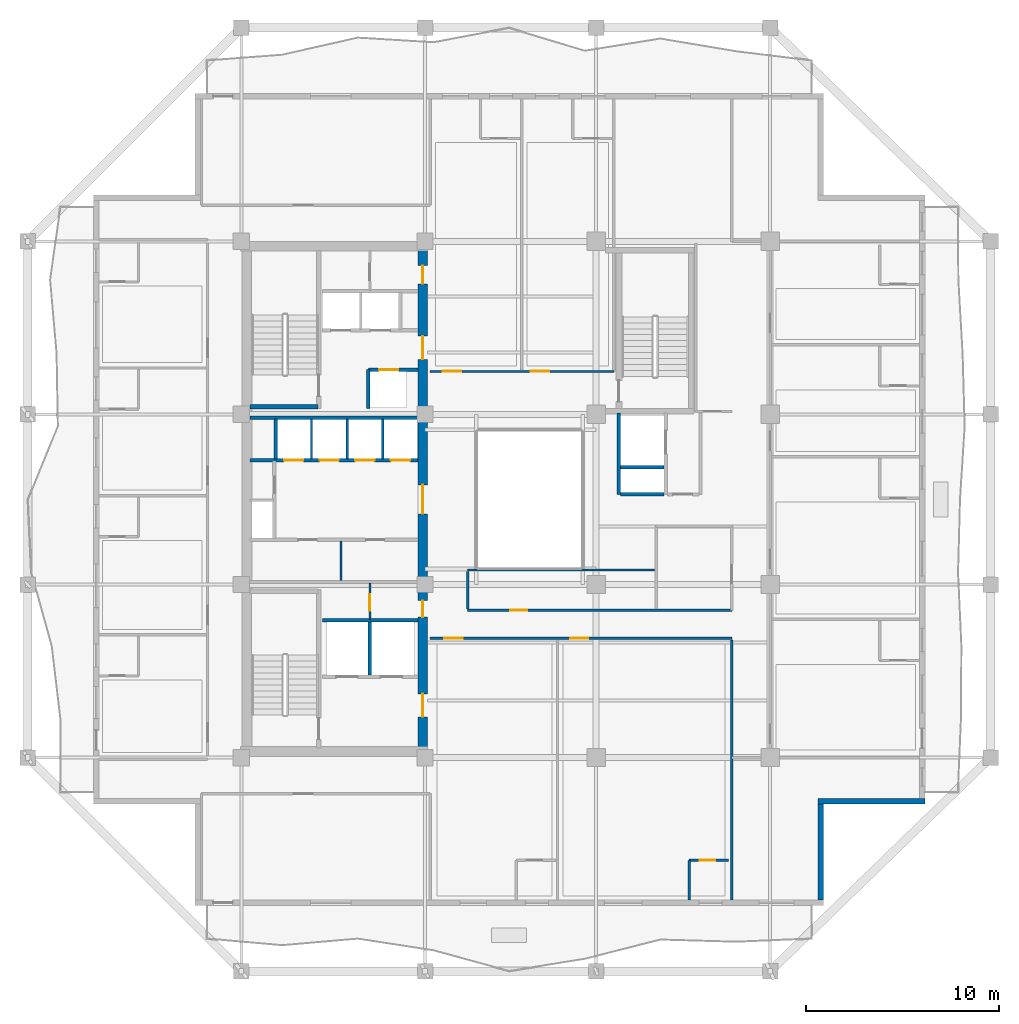
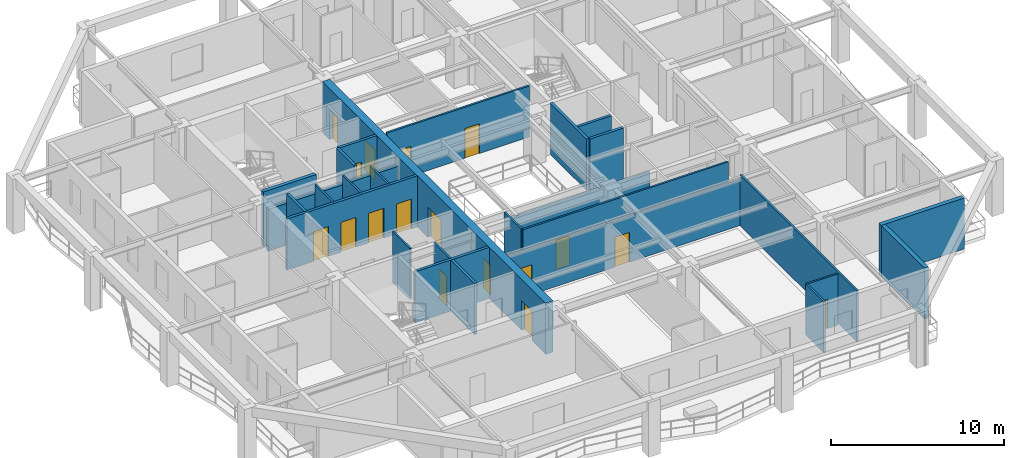
# One storey, part 4 of 13: 27 walls, 17 doors, 17 openings.
"""IFC4 building model written with IfcOpenShell, lengths in metres."""

from ifc_helpers import new_model, si_unit, direction, frame, frame_2d, origin, place, context, subcontext, project, spatial, rectangle, extrude, material, layer, layer_set, type_object, element, fill, save


model = new_model("IFC4")

# Units and contexts
model_context = context("Model", 3, precision=1e-05, world=origin(), true_north=direction((0.0, 1.0)))
body_context = subcontext(model_context, "Body", "Model", "MODEL_VIEW")
ifc_project = project(units=[si_unit("LENGTHUNIT", "METRE"), si_unit("AREAUNIT", "SQUARE_METRE"), si_unit("VOLUMEUNIT", "CUBIC_METRE"), si_unit("PLANEANGLEUNIT", "RADIAN"), si_unit("MASSUNIT", "GRAM", prefix="KILO")], contexts=[model_context])

# Site, building, storey
site_placement = place(None, origin())
site = spatial("IfcSite", under=ifc_project, at=site_placement, CompositionType="ELEMENT")
building_placement = place(site_placement, origin())
building = spatial("IfcBuilding", under=site, at=building_placement, Name="Kundavana Baori Tower", CompositionType="ELEMENT")
storey_placement = place(building_placement, frame((0.0, 0.0, 165.60009765625)))
storey = spatial("IfcBuildingStorey", under=building, at=storey_placement, Name="L40", CompositionType="ELEMENT", Elevation=165.60009765625)

# Wall
ifc_material_1 = material(Name="Concrete C50/60", Category="concrete")
ifc_layer_1 = layer(ifc_material_1, 0.39990234375, Name="WL-CORE-400")
ifc_layer_set_1 = layer_set([ifc_layer_1], Name="Concrete C50/60")
wall_type_1 = type_object("IfcWallType", Name="WL-CORE-400", PredefinedType="SHEAR", material=ifc_layer_set_1)
wall_1_placement = place(storey_placement, frame((15.89990234375, 33.389892578125, 0.0), z_axis=(0.0, 0.0, 1.0), x_axis=(1.0, 0.0, 0.0)))
element("IfcWall", 1, at=wall_1_placement, inside=storey, type_object=wall_type_1, Name="WL-L40-ST2-S", PredefinedType="SHEAR", context=body_context, shape_type="SweptSolid", body=[
    extrude(rectangle(XDim=3.52001953125, YDim=0.239990234375, at=frame_2d((1.760009765625, 0.0))), origin(), (0.0, 0.0, 1.0), 3.849853515625),
])

# Wall, openings, doors
ifc_material_2 = material(Name="Concrete C50/60", Category="concrete")
ifc_layer_2 = layer(ifc_material_2, 0.5, Name="WL-CORE-500")
ifc_layer_set_2 = layer_set([ifc_layer_2], Name="Concrete C50/60")
wall_type_2 = type_object("IfcWallType", Name="WL-CORE-500", PredefinedType="SHEAR", material=ifc_layer_set_2)
wall_2_placement = place(storey_placement, frame((24.830078125, 15.739990234375, 0.0), z_axis=(0.0, 0.0, 1.0), x_axis=(0.0, 1.0, 0.0)))
wall_2 = element("IfcWall", 2, at=wall_2_placement, inside=storey, type_object=wall_type_2, Name="L40 Offset Core East Shear Wall", PredefinedType="SHEAR", context=body_context, shape_type="SweptSolid", body=[
    extrude(rectangle(XDim=25.760009765625, YDim=0.5, at=frame_2d((12.8798828125, 0.0))), origin(), (0.0, 0.0, 1.0), 3.599853515625),
])
opening_1_placement = place(wall_2_placement, frame((1.610107421875, 0.0, 0.0)))
opening_1 = element("IfcOpeningElement", 3, at=opening_1_placement, cuts=wall_2, Name="Opening FD-120", PredefinedType="OPENING", context=body_context, shape_type="SweptSolid", body=[
    extrude(rectangle(XDim=1.199951171875, YDim=2.10009765625, at=frame_2d((0.60009765625, 1.050048828125))), frame((0.0, 0.260009765625, 0.0), z_axis=(0.0, -1.0, 0.0), x_axis=(1.0, 0.0, 0.0)), (0.0, 0.0, 1.0), 0.52001953125),
])
opening_2_placement = place(wall_2_placement, frame((6.780029296875, 0.0, 0.0)))
opening_2 = element("IfcOpeningElement", 4, at=opening_2_placement, cuts=wall_2, Name="Opening FD-085", PredefinedType="OPENING", context=body_context, shape_type="SweptSolid", body=[
    extrude(rectangle(XDim=0.85009765625, YDim=2.06005859375, at=frame_2d((0.425048828125, 1.030029296875))), frame((0.0, 0.260009765625, 0.0), z_axis=(0.0, -1.0, 0.0), x_axis=(1.0, 0.0, 0.0)), (0.0, 0.0, 1.0), 0.52001953125),
])
opening_3_placement = place(wall_2_placement, frame((12.110107421875, 0.0, 0.0)))
opening_3 = element("IfcOpeningElement", 5, at=opening_3_placement, cuts=wall_2, Name="Opening FD-150", PredefinedType="OPENING", context=body_context, shape_type="SweptSolid", body=[
    extrude(rectangle(XDim=1.5, YDim=2.1201171875, at=frame_2d((0.75, 1.06005859375))), frame((0.0, 0.260009765625, 0.0), z_axis=(0.0, -1.0, 0.0), x_axis=(1.0, 0.0, 0.0)), (0.0, 0.0, 1.0), 0.52001953125),
])
opening_4_placement = place(wall_2_placement, frame((20.110107421875, 0.0, 0.0)))
opening_4 = element("IfcOpeningElement", 6, at=opening_4_placement, cuts=wall_2, Name="Opening FD-122", PredefinedType="OPENING", context=body_context, shape_type="SweptSolid", body=[
    extrude(rectangle(XDim=1.199951171875, YDim=2.1201171875, at=frame_2d((0.60009765625, 1.06005859375))), frame((0.0, 0.260009765625, 0.0), z_axis=(0.0, -1.0, 0.0), x_axis=(1.0, 0.0, 0.0)), (0.0, 0.0, 1.0), 0.52001953125),
])
opening_5_placement = place(wall_2_placement, frame((24.010009765625, 0.0, 0.0)))
opening_5 = element("IfcOpeningElement", 7, at=opening_5_placement, cuts=wall_2, Name="Opening FD-095", PredefinedType="OPENING", context=body_context, shape_type="SweptSolid", body=[
    extrude(rectangle(XDim=0.949951171875, YDim=2.10009765625, at=frame_2d((0.47509765625, 1.050048828125))), frame((0.0, 0.260009765625, 0.0), z_axis=(0.0, -1.0, 0.0), x_axis=(1.0, 0.0, 0.0)), (0.0, 0.0, 1.0), 0.52001953125),
])
ifc_material_3 = material(Name="Galvanised Steel Fire-Rated Door Leaf", Category="steel")
door_type_1 = type_object("IfcDoorType", Name="DR-FD120-1200", OperationType="NOTDEFINED", PredefinedType="DOOR", material=ifc_material_3)
door_1_placement = place(opening_1_placement, frame((1.199951171875, 0.0, 0.0), z_axis=(0.0, 0.0, 1.0), x_axis=(-1.0, 0.0, 0.0)))
door_1 = element("IfcDoor", 8, at=door_1_placement, inside=storey, type_object=door_type_1, Name="DR-L40-FFLOB-E", OperationType="SINGLE_SWING_RIGHT", OverallHeight=2.10009765625, OverallWidth=1.199951171875, PredefinedType="DOOR", context=body_context, shape_type="SweptSolid", body=[
    extrude(rectangle(XDim=1.199951171875, YDim=2.10009765625, at=frame_2d((0.60009765625, 1.050048828125))), frame((0.0, 0.02490234375, 0.0), z_axis=(0.0, -1.0, 0.0), x_axis=(1.0, 0.0, 0.0)), (0.0, 0.0, 1.0), 0.050048828125),
])
fill(opening_1, door_1)
ifc_material_4 = material(Name="Galvanised Steel Fire-Rated Door Leaf", Category="steel")
door_type_2 = type_object("IfcDoorType", Name="DR-FD60-1200", OperationType="NOTDEFINED", PredefinedType="DOOR", material=ifc_material_4)
door_2_placement = place(opening_4_placement, frame((1.199951171875, 0.0, 0.0), z_axis=(0.0, 0.0, 1.0), x_axis=(-1.0, 0.0, 0.0)))
door_2 = element("IfcDoor", 9, at=door_2_placement, inside=storey, type_object=door_type_2, Name="DR-L40-HRLOB-E", OperationType="SINGLE_SWING_RIGHT", OverallHeight=2.1201171875, OverallWidth=1.199951171875, PredefinedType="DOOR", context=body_context, shape_type="SweptSolid", body=[
    extrude(rectangle(XDim=1.199951171875, YDim=2.1201171875, at=frame_2d((0.60009765625, 1.06005859375))), frame((0.0, 0.02490234375, 0.0), z_axis=(0.0, -1.0, 0.0), x_axis=(1.0, 0.0, 0.0)), (0.0, 0.0, 1.0), 0.050048828125),
])
fill(opening_4, door_2)
ifc_material_5 = material(Name="Galvanised Steel Fire-Rated Door Leaf", Category="steel")
door_type_3 = type_object("IfcDoorType", Name="DR-FD60-1500", OperationType="NOTDEFINED", PredefinedType="DOOR", material=ifc_material_5)
door_3_placement = place(opening_3_placement, frame((1.5, 0.0, 0.0), z_axis=(0.0, 0.0, 1.0), x_axis=(-1.0, 0.0, 0.0)))
door_3 = element("IfcDoor", 10, at=door_3_placement, inside=storey, type_object=door_type_3, Name="DR-L40-LIFTHALL-E", OperationType="SINGLE_SWING_LEFT", OverallHeight=2.1201171875, OverallWidth=1.5, PredefinedType="DOOR", context=body_context, shape_type="SweptSolid", body=[
    extrude(rectangle(XDim=1.5, YDim=2.1201171875, at=frame_2d((0.75, 1.06005859375))), frame((0.0, 0.02490234375, 0.0), z_axis=(0.0, -1.0, 0.0), x_axis=(1.0, 0.0, 0.0)), (0.0, 0.0, 1.0), 0.050048828125),
])
fill(opening_3, door_3)
ifc_material_6 = material(Name="Galvanised Steel Fire-Rated Door Leaf", Category="steel")
door_type_4 = type_object("IfcDoorType", Name="DR-FD60-850", OperationType="NOTDEFINED", PredefinedType="DOOR", material=ifc_material_6)
door_4_placement = place(opening_2_placement, frame((0.85009765625, 0.0, 0.0), z_axis=(0.0, 0.0, 1.0), x_axis=(-1.0, 0.0, 0.0)))
door_4 = element("IfcDoor", 11, at=door_4_placement, inside=storey, type_object=door_type_4, Name="DR-L40-CSMK2", OperationType="SINGLE_SWING_RIGHT", OverallHeight=2.06005859375, OverallWidth=0.85009765625, PredefinedType="DOOR", context=body_context, shape_type="SweptSolid", body=[
    extrude(rectangle(XDim=0.85009765625, YDim=2.06005859375, at=frame_2d((0.425048828125, 1.030029296875))), frame((0.0, 0.02490234375, 0.0), z_axis=(0.0, -1.0, 0.0), x_axis=(1.0, 0.0, 0.0)), (0.0, 0.0, 1.0), 0.050048828125),
])
fill(opening_2, door_4)
ifc_material_7 = material(Name="Engineered Teak Fire-Rated Timber Door Leaf", Category="wood")
door_type_5 = type_object("IfcDoorType", Name="DR-FD60-950", OperationType="NOTDEFINED", PredefinedType="DOOR", material=ifc_material_7)
door_5_placement = place(opening_5_placement, frame((0.949951171875, 0.0, 0.0), z_axis=(0.0, 0.0, 1.0), x_axis=(-1.0, 0.0, 0.0)))
door_5 = element("IfcDoor", 12, at=door_5_placement, inside=storey, type_object=door_type_5, Name="DR-L40-CSRV2", OperationType="SINGLE_SWING_RIGHT", OverallHeight=2.10009765625, OverallWidth=0.949951171875, PredefinedType="DOOR", context=body_context, shape_type="SweptSolid", body=[
    extrude(rectangle(XDim=0.949951171875, YDim=2.10009765625, at=frame_2d((0.47509765625, 1.050048828125))), frame((0.0, 0.02490234375, 0.0), z_axis=(0.0, -1.0, 0.0), x_axis=(1.0, 0.0, 0.0)), (0.0, 0.0, 1.0), 0.050048828125),
])
fill(opening_5, door_5)

# Walls
ifc_material_8 = material(Name="Red-Buff Dholpur Sandstone Cladding on Concrete C40/50", Category="masonry")
ifc_layer_3 = layer(ifc_material_8, 0.280029296875, Name="WL-EXT-SAND-280")
ifc_layer_set_3 = layer_set([ifc_layer_3], Name="Red-Buff Dholpur Sandstone Cladding on Concrete C40/50")
wall_type_3 = type_object("IfcWallType", Name="WL-EXT-SAND-280", PredefinedType="STANDARD", material=ifc_layer_set_3)
wall_3_placement = place(storey_placement, frame((45.409912109375, 7.8798828125, 0.0), z_axis=(0.0, 0.0, 1.0), x_axis=(0.0, 1.0, 0.0)))
element("IfcWall", 13, at=wall_3_placement, inside=storey, type_object=wall_type_3, Name="L40 Exterior Insulated Facade Wall 02", PredefinedType="STANDARD", context=body_context, shape_type="SweptSolid", body=[
    extrude(rectangle(XDim=4.97021484375, YDim=0.280029296875, at=frame_2d((2.485107421875, 0.0))), origin(), (0.0, 0.0, 1.0), 3.599853515625),
])
wall_4_placement = place(storey_placement, frame((45.27001953125, 12.989990234375, 0.0), z_axis=(0.0, 0.0, 1.0), x_axis=(1.0, 0.0, 0.0)))
element("IfcWall", 14, at=wall_4_placement, inside=storey, type_object=wall_type_3, Name="L40 Exterior Insulated Facade Wall 03", PredefinedType="STANDARD", context=body_context, shape_type="SweptSolid", body=[
    extrude(rectangle(XDim=5.530029296875, YDim=0.280029296875, at=frame_2d((2.76513671875, 0.0))), origin(), (0.0, 0.0, 1.0), 3.599853515625),
])

# Wall, opening, door
ifc_material_9 = material(Name="Acoustic Gypsum Plasterboard on Galvanised Steel Studs", Category="steel")
ifc_layer_4 = layer(ifc_material_9, 0.1201171875, Name="WL-PART-120")
ifc_layer_set_4 = layer_set([ifc_layer_4], Name="Acoustic Gypsum Plasterboard on Galvanised Steel Studs")
wall_type_4 = type_object("IfcWallType", Name="WL-PART-120", PredefinedType="PARTITIONING", material=ifc_layer_set_4)
wall_5_placement = place(storey_placement, frame((22.10009765625, 22.39990234375, 0.0), z_axis=(0.0, 0.0, 1.0), x_axis=(0.0, 1.0, 0.0)))
wall_5 = element("IfcWall", 15, at=wall_5_placement, inside=storey, type_object=wall_type_4, Name="WL-L40-CSMK-D1", PredefinedType="PARTITIONING", context=body_context, shape_type="SweptSolid", body=[
    extrude(rectangle(XDim=1.880126953125, YDim=0.1201171875, at=frame_2d((0.93994140625, 0.0))), origin(), (0.0, 0.0, 1.0), 3.599853515625),
])
opening_6_placement = place(wall_5_placement, frame((0.449951171875, 0.0, 0.0)))
opening_6 = element("IfcOpeningElement", 16, at=opening_6_placement, cuts=wall_5, Name="Opening FD-085", PredefinedType="OPENING", context=body_context, shape_type="SweptSolid", body=[
    extrude(rectangle(XDim=0.85009765625, YDim=2.06005859375, at=frame_2d((0.425048828125, 1.030029296875))), frame((0.0, 0.070068359375, 0.0), z_axis=(0.0, -1.0, 0.0), x_axis=(1.0, 0.0, 0.0)), (0.0, 0.0, 1.0), 0.14013671875),
])
door_6_placement = place(opening_6_placement, origin())
door_6 = element("IfcDoor", 17, at=door_6_placement, inside=storey, type_object=door_type_4, Name="DR-L40-CSMK1", OperationType="SINGLE_SWING_LEFT", OverallHeight=2.06005859375, OverallWidth=0.85009765625, PredefinedType="DOOR", context=body_context, shape_type="SweptSolid", body=[
    extrude(rectangle(XDim=0.85009765625, YDim=2.06005859375, at=frame_2d((0.425048828125, 1.030029296875))), frame((0.0, 0.02490234375, 0.0), z_axis=(0.0, -1.0, 0.0), x_axis=(1.0, 0.0, 0.0)), (0.0, 0.0, 1.0), 0.050048828125),
])
fill(opening_6, door_6)

# Walls
wall_6_placement = place(storey_placement, frame((20.60009765625, 24.419921875, 0.0), z_axis=(0.0, 0.0, 1.0), x_axis=(0.0, 1.0, 0.0)))
element("IfcWall", 18, at=wall_6_placement, inside=storey, type_object=wall_type_4, Name="WL-L40-FRLOW-DIV", PredefinedType="PARTITIONING", context=body_context, shape_type="SweptSolid", body=[
    extrude(rectangle(XDim=2.02001953125, YDim=0.1201171875, at=frame_2d((1.010009765625, 0.0))), origin(), (0.0, 0.0, 1.0), 3.599853515625),
])
for number, where, z_axis, x_axis, name in (
    (19, (19.080078125, 30.699951171875, 0.0), (0.0, 0.0, 1.0), (0.0, 1.0, 0.0), "WL-L40-LPMID-D1"),
    (20, (20.919921875, 30.699951171875, 0.0), (0.0, 0.0, 1.0), (0.0, 1.0, 0.0), "WL-L40-LPMID-D2"),
    (21, (22.760009765625, 30.699951171875, 0.0), (0.0, 0.0, 1.0), (0.0, 1.0, 0.0), "WL-L40-LPMID-D3"),
):
    element("IfcWall", number, at=place(storey_placement, frame(where, z_axis=z_axis, x_axis=x_axis)), inside=storey, type_object=wall_type_4, Name=name, PredefinedType="PARTITIONING", context=body_context, shape_type="SweptSolid", body=[
        extrude(rectangle(XDim=2.050048828125, YDim=0.1201171875, at=frame_2d((1.02490234375, 0.0))), origin(), (0.0, 0.0, 1.0), 3.599853515625),
    ])
ifc_material_10 = material(Name="Autoclaved Aerated Concrete Blockwork Masonry", Category="masonry")
ifc_layer_5 = layer(ifc_material_10, 0.179931640625, Name="WL-SHAFT-180")
ifc_layer_set_5 = layer_set([ifc_layer_5], Name="Autoclaved Aerated Concrete Blockwork Masonry")
wall_type_5 = type_object("IfcWallType", Name="WL-SHAFT-180", PredefinedType="SOLIDWALL", material=ifc_layer_set_5)
wall_7_placement = place(storey_placement, frame((22.10009765625, 19.510009765625, 0.0), z_axis=(0.0, 0.0, 1.0), x_axis=(0.0, 1.0, 0.0)))
element("IfcWall", 22, at=wall_7_placement, inside=storey, type_object=wall_type_5, Name="WL-L40-FFL-MID", PredefinedType="SOLIDWALL", context=body_context, shape_type="SweptSolid", body=[
    extrude(rectangle(XDim=2.739990234375, YDim=0.179931640625, at=frame_2d((1.3701171875, 0.0))), origin(), (0.0, 0.0, 1.0), 3.599853515625),
])
wall_8_placement = place(storey_placement, frame((19.639892578125, 22.340087890625, 0.0), z_axis=(0.0, 0.0, 1.0), x_axis=(1.0, 0.0, 0.0)))
element("IfcWall", 23, at=wall_8_placement, inside=storey, type_object=wall_type_5, Name="WL-L40-FFL-N", PredefinedType="SOLIDWALL", context=body_context, shape_type="SweptSolid", body=[
    extrude(rectangle(XDim=4.940185546875, YDim=0.179931640625, at=frame_2d((2.47021484375, 0.0))), origin(), (0.0, 0.0, 1.0), 3.599853515625),
])

# Wall, openings, doors
wall_9_placement = place(storey_placement, frame((15.89990234375, 30.639892578125, 0.0), z_axis=(0.0, 0.0, 1.0), x_axis=(1.0, 0.0, 0.0)))
wall_9 = element("IfcWall", 24, at=wall_9_placement, inside=storey, type_object=wall_type_5, Name="WL-L40-LPMID-S", PredefinedType="SOLIDWALL", context=body_context, shape_type="SweptSolid", body=[
    extrude(rectangle(XDim=8.68017578125, YDim=0.179931640625, at=frame_2d((4.340087890625, 0.0))), origin(), (0.0, 0.0, 1.0), 3.599853515625),
])
opening_7_placement = place(wall_9_placement, frame((1.760009765625, 0.0, 0.0)))
opening_7 = element("IfcOpeningElement", 25, at=opening_7_placement, cuts=wall_9, Name="Opening LD-100", PredefinedType="OPENING", context=body_context, shape_type="SweptSolid", body=[
    extrude(rectangle(XDim=1.0, YDim=2.10009765625, at=frame_2d((0.5, 1.050048828125))), frame((0.0, 0.10009765625, 0.0), z_axis=(0.0, -1.0, 0.0), x_axis=(1.0, 0.0, 0.0)), (0.0, 0.0, 1.0), 0.199951171875),
])
opening_8_placement = place(wall_9_placement, frame((3.60009765625, 0.0, 0.0)))
opening_8 = element("IfcOpeningElement", 26, at=opening_8_placement, cuts=wall_9, Name="Opening LD-100", PredefinedType="OPENING", context=body_context, shape_type="SweptSolid", body=[
    extrude(rectangle(XDim=1.0, YDim=2.10009765625, at=frame_2d((0.5, 1.050048828125))), frame((0.0, 0.10009765625, 0.0), z_axis=(0.0, -1.0, 0.0), x_axis=(1.0, 0.0, 0.0)), (0.0, 0.0, 1.0), 0.199951171875),
])
opening_9_placement = place(wall_9_placement, frame((5.43994140625, 0.0, 0.0)))
opening_9 = element("IfcOpeningElement", 27, at=opening_9_placement, cuts=wall_9, Name="Opening LD-100", PredefinedType="OPENING", context=body_context, shape_type="SweptSolid", body=[
    extrude(rectangle(XDim=1.0, YDim=2.10009765625, at=frame_2d((0.5, 1.050048828125))), frame((0.0, 0.10009765625, 0.0), z_axis=(0.0, -1.0, 0.0), x_axis=(1.0, 0.0, 0.0)), (0.0, 0.0, 1.0), 0.199951171875),
])
opening_10_placement = place(wall_9_placement, frame((7.280029296875, 0.0, 0.0)))
opening_10 = element("IfcOpeningElement", 28, at=opening_10_placement, cuts=wall_9, Name="Opening LD-100", PredefinedType="OPENING", context=body_context, shape_type="SweptSolid", body=[
    extrude(rectangle(XDim=1.0, YDim=2.10009765625, at=frame_2d((0.5, 1.050048828125))), frame((0.0, 0.10009765625, 0.0), z_axis=(0.0, -1.0, 0.0), x_axis=(1.0, 0.0, 0.0)), (0.0, 0.0, 1.0), 0.199951171875),
])
ifc_material_11 = material(Name="Galvanised Steel Fire-Rated Door Leaf", Category="steel")
door_type_6 = type_object("IfcDoorType", Name="DR-SLIDE-LD1000", OperationType="NOTDEFINED", PredefinedType="DOOR", material=ifc_material_11)
door_7_placement = place(opening_7_placement, frame((1.0, 0.0, 0.0), z_axis=(0.0, 0.0, 1.0), x_axis=(-1.0, 0.0, 0.0)))
door_7 = element("IfcDoor", 29, at=door_7_placement, inside=storey, type_object=door_type_6, Name="DR-L40-LD-LP-05", OperationType="DOUBLE_DOOR_SLIDING", OverallHeight=2.10009765625, OverallWidth=1.0, PredefinedType="DOOR", context=body_context, shape_type="SweptSolid", body=[
    extrude(rectangle(XDim=1.0, YDim=2.10009765625, at=frame_2d((0.5, 1.050048828125))), frame((0.0, 0.02490234375, 0.0), z_axis=(0.0, -1.0, 0.0), x_axis=(1.0, 0.0, 0.0)), (0.0, 0.0, 1.0), 0.050048828125),
])
fill(opening_7, door_7)
door_8_placement = place(opening_8_placement, frame((1.0, 0.0, 0.0), z_axis=(0.0, 0.0, 1.0), x_axis=(-1.0, 0.0, 0.0)))
door_8 = element("IfcDoor", 30, at=door_8_placement, inside=storey, type_object=door_type_6, Name="DR-L40-LD-LP-06", OperationType="DOUBLE_DOOR_SLIDING", OverallHeight=2.10009765625, OverallWidth=1.0, PredefinedType="DOOR", context=body_context, shape_type="SweptSolid", body=[
    extrude(rectangle(XDim=1.0, YDim=2.10009765625, at=frame_2d((0.5, 1.050048828125))), frame((0.0, 0.02490234375, 0.0), z_axis=(0.0, -1.0, 0.0), x_axis=(1.0, 0.0, 0.0)), (0.0, 0.0, 1.0), 0.050048828125),
])
fill(opening_8, door_8)
door_9_placement = place(opening_9_placement, frame((1.0, 0.0, 0.0), z_axis=(0.0, 0.0, 1.0), x_axis=(-1.0, 0.0, 0.0)))
door_9 = element("IfcDoor", 31, at=door_9_placement, inside=storey, type_object=door_type_6, Name="DR-L40-LD-LP-07", OperationType="DOUBLE_DOOR_SLIDING", OverallHeight=2.10009765625, OverallWidth=1.0, PredefinedType="DOOR", context=body_context, shape_type="SweptSolid", body=[
    extrude(rectangle(XDim=1.0, YDim=2.10009765625, at=frame_2d((0.5, 1.050048828125))), frame((0.0, 0.02490234375, 0.0), z_axis=(0.0, -1.0, 0.0), x_axis=(1.0, 0.0, 0.0)), (0.0, 0.0, 1.0), 0.050048828125),
])
fill(opening_9, door_9)
door_10_placement = place(opening_10_placement, frame((1.0, 0.0, 0.0), z_axis=(0.0, 0.0, 1.0), x_axis=(-1.0, 0.0, 0.0)))
door_10 = element("IfcDoor", 32, at=door_10_placement, inside=storey, type_object=door_type_6, Name="DR-L40-LD-LP-08", OperationType="DOUBLE_DOOR_SLIDING", OverallHeight=2.10009765625, OverallWidth=1.0, PredefinedType="DOOR", context=body_context, shape_type="SweptSolid", body=[
    extrude(rectangle(XDim=1.0, YDim=2.10009765625, at=frame_2d((0.5, 1.050048828125))), frame((0.0, 0.02490234375, 0.0), z_axis=(0.0, -1.0, 0.0), x_axis=(1.0, 0.0, 0.0)), (0.0, 0.0, 1.0), 0.050048828125),
])
fill(opening_10, door_10)

# Walls
wall_10_placement = place(storey_placement, frame((15.89990234375, 32.820068359375, 0.0), z_axis=(0.0, 0.0, 1.0), x_axis=(1.0, 0.0, 0.0)))
element("IfcWall", 33, at=wall_10_placement, inside=storey, type_object=wall_type_5, Name="WL-L40-LPMID-N", PredefinedType="SOLIDWALL", context=body_context, shape_type="SweptSolid", body=[
    extrude(rectangle(XDim=8.68017578125, YDim=0.179931640625, at=frame_2d((4.340087890625, 0.0))), origin(), (0.0, 0.0, 1.0), 2.949951171875),
])
wall_11_placement = place(storey_placement, frame((17.219970703125, 30.699951171875, 0.0), z_axis=(0.0, 0.0, 1.0), x_axis=(0.0, 1.0, 0.0)))
element("IfcWall", 34, at=wall_11_placement, inside=storey, type_object=wall_type_5, Name="WL-L40-LPMID-W", PredefinedType="SOLIDWALL", context=body_context, shape_type="SweptSolid", body=[
    extrude(rectangle(XDim=2.050048828125, YDim=0.179931640625, at=frame_2d((1.02490234375, 0.0))), origin(), (0.0, 0.0, 1.0), 3.599853515625),
])

# Wall, opening, door
wall_12_placement = place(storey_placement, frame((22.02001953125, 35.31005859375, 0.0), z_axis=(0.0, 0.0, 1.0), x_axis=(1.0, 0.0, 0.0)))
wall_12 = element("IfcWall", 35, at=wall_12_placement, inside=storey, type_object=wall_type_5, Name="WL-L40-LP11-N", PredefinedType="SOLIDWALL", context=body_context, shape_type="SweptSolid", body=[
    extrude(rectangle(XDim=2.56005859375, YDim=0.179931640625, at=frame_2d((1.280029296875, 0.0))), origin(), (0.0, 0.0, 1.0), 3.599853515625),
])
opening_11_placement = place(wall_12_placement, frame((0.550048828125, 0.0, 0.0)))
opening_11 = element("IfcOpeningElement", 36, at=opening_11_placement, cuts=wall_12, Name="Opening LD-100", PredefinedType="OPENING", context=body_context, shape_type="SweptSolid", body=[
    extrude(rectangle(XDim=1.0, YDim=2.10009765625, at=frame_2d((0.5, 1.050048828125))), frame((0.0, 0.10009765625, 0.0), z_axis=(0.0, -1.0, 0.0), x_axis=(1.0, 0.0, 0.0)), (0.0, 0.0, 1.0), 0.199951171875),
])
door_11_placement = place(opening_11_placement, origin())
door_11 = element("IfcDoor", 37, at=door_11_placement, inside=storey, type_object=door_type_6, Name="DR-L40-LD-LP11", OperationType="DOUBLE_DOOR_SLIDING", OverallHeight=2.10009765625, OverallWidth=1.0, PredefinedType="DOOR", context=body_context, shape_type="SweptSolid", body=[
    extrude(rectangle(XDim=1.0, YDim=2.10009765625, at=frame_2d((0.5, 1.050048828125))), frame((0.0, 0.02490234375, 0.0), z_axis=(0.0, -1.0, 0.0), x_axis=(1.0, 0.0, 0.0)), (0.0, 0.0, 1.0), 0.050048828125),
])
fill(opening_11, door_11)

# Walls
wall_13_placement = place(storey_placement, frame((22.02001953125, 33.300048828125, 0.0), z_axis=(0.0, 0.0, 1.0), x_axis=(0.0, 1.0, 0.0)))
element("IfcWall", 38, at=wall_13_placement, inside=storey, type_object=wall_type_5, Name="WL-L40-LP11-W", PredefinedType="SOLIDWALL", context=body_context, shape_type="SweptSolid", body=[
    extrude(rectangle(XDim=2.010009765625, YDim=0.179931640625, at=frame_2d((1.0048828125, 0.0))), origin(), (0.0, 0.0, 1.0), 3.599853515625),
])
wall_14_placement = place(storey_placement, frame((34.9599609375, 28.860107421875, 0.0), z_axis=(0.0, 0.0, 1.0), x_axis=(0.0, 1.0, 0.0)))
element("IfcWall", 39, at=wall_14_placement, inside=storey, type_object=wall_type_5, Name="WL-L40-SVL-W", PredefinedType="SOLIDWALL", context=body_context, shape_type="SweptSolid", body=[
    extrude(rectangle(XDim=4.219970703125, YDim=0.179931640625, at=frame_2d((2.10986328125, 0.0))), origin(), (0.0, 0.0, 1.0), 3.599853515625),
])
for number, where, z_axis, x_axis, name in (
    (40, (35.050048828125, 28.860107421875, 0.0), (0.0, 0.0, 1.0), (1.0, 0.0, 0.0), "WL-L40-SVL-S"),
    (41, (35.050048828125, 30.27001953125, 0.0), (0.0, 0.0, 1.0), (1.0, 0.0, 0.0), "WL-L40-SVL-M"),
):
    element("IfcWall", number, at=place(storey_placement, frame(where, z_axis=z_axis, x_axis=x_axis)), inside=storey, type_object=wall_type_5, Name=name, PredefinedType="SOLIDWALL", context=body_context, shape_type="SweptSolid", body=[
        extrude(rectangle(XDim=2.25, YDim=0.179931640625, at=frame_2d((1.125, 0.0))), origin(), (0.0, 0.0, 1.0), 3.599853515625),
    ])

# Wall, openings, doors
ifc_material_12 = material(Name="Autoclaved Aerated Concrete Blockwork Masonry", Category="masonry")
ifc_layer_6 = layer(ifc_material_12, 0.125, Name="WL-WET-120")
ifc_layer_set_6 = layer_set([ifc_layer_6], Name="Autoclaved Aerated Concrete Blockwork Masonry")
wall_type_6 = type_object("IfcWallType", Name="WL-WET-120", PredefinedType="PLUMBINGWALL", material=ifc_layer_set_6)
wall_15_placement = place(storey_placement, frame((25.219970703125, 21.419921875, 0.0), z_axis=(0.0, 0.0, 1.0), x_axis=(1.0, 0.0, 0.0)))
wall_15 = element("IfcWall", 42, at=wall_15_placement, inside=storey, type_object=wall_type_6, Name="WL-L40-HS", PredefinedType="PLUMBINGWALL", context=body_context, shape_type="SweptSolid", body=[
    extrude(rectangle(XDim=15.60009765625, YDim=0.125, at=frame_2d((7.800048828125, 0.0))), origin(), (0.0, 0.0, 1.0), 3.25),
])
opening_12_placement = place(wall_15_placement, frame((0.72998046875, 0.0, 0.0)))
opening_12 = element("IfcOpeningElement", 43, at=opening_12_placement, cuts=wall_15, Name="Opening FD-095", PredefinedType="OPENING", context=body_context, shape_type="SweptSolid", body=[
    extrude(rectangle(XDim=0.949951171875, YDim=2.10009765625, at=frame_2d((0.47509765625, 1.050048828125))), frame((0.0, 0.072509765625, 0.0), z_axis=(0.0, -1.0, 0.0), x_axis=(1.0, 0.0, 0.0)), (0.0, 0.0, 1.0), 0.14501953125),
])
opening_13_placement = place(wall_15_placement, frame((7.22998046875, 0.0, 0.0)))
opening_13 = element("IfcOpeningElement", 44, at=opening_13_placement, cuts=wall_15, Name="Opening FD-095", PredefinedType="OPENING", context=body_context, shape_type="SweptSolid", body=[
    extrude(rectangle(XDim=0.949951171875, YDim=2.10009765625, at=frame_2d((0.47509765625, 1.050048828125))), frame((0.0, 0.072509765625, 0.0), z_axis=(0.0, -1.0, 0.0), x_axis=(1.0, 0.0, 0.0)), (0.0, 0.0, 1.0), 0.14501953125),
])
door_12_placement = place(opening_12_placement, frame((0.949951171875, 0.0, 0.0), z_axis=(0.0, 0.0, 1.0), x_axis=(-1.0, 0.0, 0.0)))
door_12 = element("IfcDoor", 45, at=door_12_placement, inside=storey, type_object=door_type_5, Name="DR-L40-HK-S1-ENT", OperationType="SINGLE_SWING_RIGHT", OverallHeight=2.10009765625, OverallWidth=0.949951171875, PredefinedType="DOOR", context=body_context, shape_type="SweptSolid", body=[
    extrude(rectangle(XDim=0.949951171875, YDim=2.10009765625, at=frame_2d((0.47509765625, 1.050048828125))), frame((0.0, 0.02490234375, 0.0), z_axis=(0.0, -1.0, 0.0), x_axis=(1.0, 0.0, 0.0)), (0.0, 0.0, 1.0), 0.050048828125),
])
fill(opening_12, door_12)
door_13_placement = place(opening_13_placement, frame((0.949951171875, 0.0, 0.0), z_axis=(0.0, 0.0, 1.0), x_axis=(-1.0, 0.0, 0.0)))
door_13 = element("IfcDoor", 46, at=door_13_placement, inside=storey, type_object=door_type_5, Name="DR-L40-HK-S2-ENT", OperationType="SINGLE_SWING_RIGHT", OverallHeight=2.10009765625, OverallWidth=0.949951171875, PredefinedType="DOOR", context=body_context, shape_type="SweptSolid", body=[
    extrude(rectangle(XDim=0.949951171875, YDim=2.10009765625, at=frame_2d((0.47509765625, 1.050048828125))), frame((0.0, 0.02490234375, 0.0), z_axis=(0.0, -1.0, 0.0), x_axis=(1.0, 0.0, 0.0)), (0.0, 0.0, 1.0), 0.050048828125),
])
fill(opening_13, door_13)

# Wall, opening, door
wall_16_placement = place(storey_placement, frame((27.14990234375, 22.860107421875, 0.0), z_axis=(0.0, 0.0, 1.0), x_axis=(1.0, 0.0, 0.0)))
wall_16 = element("IfcWall", 47, at=wall_16_placement, inside=storey, type_object=wall_type_6, Name="WL-L40-HST", PredefinedType="PLUMBINGWALL", context=body_context, shape_type="SweptSolid", body=[
    extrude(rectangle(XDim=13.670166015625, YDim=0.125, at=frame_2d((6.8349609375, 0.0))), origin(), (0.0, 0.0, 1.0), 3.599853515625),
])
opening_14_placement = place(wall_16_placement, frame((2.199951171875, 0.0, 0.0)))
opening_14 = element("IfcOpeningElement", 48, at=opening_14_placement, cuts=wall_16, Name="Opening ID-090", PredefinedType="OPENING", context=body_context, shape_type="SweptSolid", body=[
    extrude(rectangle(XDim=0.89990234375, YDim=2.080078125, at=frame_2d((0.449951171875, 1.0400390625))), frame((0.0, 0.072509765625, 0.0), z_axis=(0.0, -1.0, 0.0), x_axis=(1.0, 0.0, 0.0)), (0.0, 0.0, 1.0), 0.14501953125),
])
ifc_material_13 = material(Name="Engineered Teak Solid-Core Timber Veneer", Category="wood")
door_type_7 = type_object("IfcDoorType", Name="DR-INT-900", OperationType="NOTDEFINED", PredefinedType="DOOR", material=ifc_material_13)
door_14_placement = place(opening_14_placement, origin())
door_14 = element("IfcDoor", 49, at=door_14_placement, inside=storey, type_object=door_type_7, Name="DR-L40-HPNT", OperationType="SINGLE_SWING_LEFT", OverallHeight=2.080078125, OverallWidth=0.89990234375, PredefinedType="DOOR", context=body_context, shape_type="SweptSolid", body=[
    extrude(rectangle(XDim=0.89990234375, YDim=2.080078125, at=frame_2d((0.449951171875, 1.0400390625))), frame((0.0, 0.02490234375, 0.0), z_axis=(0.0, -1.0, 0.0), x_axis=(1.0, 0.0, 0.0)), (0.0, 0.0, 1.0), 0.050048828125),
])
fill(opening_14, door_14)

# Wall, openings, doors
wall_17_placement = place(storey_placement, frame((25.219970703125, 35.219970703125, 0.0), z_axis=(0.0, 0.0, 1.0), x_axis=(1.0, 0.0, 0.0)))
wall_17 = element("IfcWall", 50, at=wall_17_placement, inside=storey, type_object=wall_type_6, Name="WL-L40-HN", PredefinedType="PLUMBINGWALL", context=body_context, shape_type="SweptSolid", body=[
    extrude(rectangle(XDim=9.5, YDim=0.125, at=frame_2d((4.75, 0.0))), origin(), (0.0, 0.0, 1.0), 3.599853515625),
])
opening_15_placement = place(wall_17_placement, frame((0.64990234375, 0.0, 0.0)))
opening_15 = element("IfcOpeningElement", 51, at=opening_15_placement, cuts=wall_17, Name="Opening FD-095", PredefinedType="OPENING", context=body_context, shape_type="SweptSolid", body=[
    extrude(rectangle(XDim=0.949951171875, YDim=2.10009765625, at=frame_2d((0.47509765625, 1.050048828125))), frame((0.0, 0.072509765625, 0.0), z_axis=(0.0, -1.0, 0.0), x_axis=(1.0, 0.0, 0.0)), (0.0, 0.0, 1.0), 0.14501953125),
])
opening_16_placement = place(wall_17_placement, frame((5.199951171875, 0.0, 0.0)))
opening_16 = element("IfcOpeningElement", 52, at=opening_16_placement, cuts=wall_17, Name="Opening FD-095", PredefinedType="OPENING", context=body_context, shape_type="SweptSolid", body=[
    extrude(rectangle(XDim=0.949951171875, YDim=2.10009765625, at=frame_2d((0.47509765625, 1.050048828125))), frame((0.0, 0.072509765625, 0.0), z_axis=(0.0, -1.0, 0.0), x_axis=(1.0, 0.0, 0.0)), (0.0, 0.0, 1.0), 0.14501953125),
])
door_15_placement = place(opening_15_placement, origin())
door_15 = element("IfcDoor", 53, at=door_15_placement, inside=storey, type_object=door_type_5, Name="DR-L40-HK-N1-ENT", OperationType="SINGLE_SWING_LEFT", OverallHeight=2.10009765625, OverallWidth=0.949951171875, PredefinedType="DOOR", context=body_context, shape_type="SweptSolid", body=[
    extrude(rectangle(XDim=0.949951171875, YDim=2.10009765625, at=frame_2d((0.47509765625, 1.050048828125))), frame((0.0, 0.02490234375, 0.0), z_axis=(0.0, -1.0, 0.0), x_axis=(1.0, 0.0, 0.0)), (0.0, 0.0, 1.0), 0.050048828125),
])
fill(opening_15, door_15)
door_16_placement = place(opening_16_placement, origin())
door_16 = element("IfcDoor", 54, at=door_16_placement, inside=storey, type_object=door_type_5, Name="DR-L40-HK-N2-ENT", OperationType="SINGLE_SWING_RIGHT", OverallHeight=2.10009765625, OverallWidth=0.949951171875, PredefinedType="DOOR", context=body_context, shape_type="SweptSolid", body=[
    extrude(rectangle(XDim=0.949951171875, YDim=2.10009765625, at=frame_2d((0.47509765625, 1.050048828125))), frame((0.0, 0.02490234375, 0.0), z_axis=(0.0, -1.0, 0.0), x_axis=(1.0, 0.0, 0.0)), (0.0, 0.0, 1.0), 0.050048828125),
])
fill(opening_16, door_16)

# Walls
wall_18_placement = place(storey_placement, frame((27.14990234375, 24.949951171875, 0.0), z_axis=(0.0, 0.0, 1.0), x_axis=(1.0, 0.0, 0.0)))
element("IfcWall", 55, at=wall_18_placement, inside=storey, type_object=wall_type_6, Name="WL-L40-HPN1", PredefinedType="PLUMBINGWALL", context=body_context, shape_type="SweptSolid", body=[
    extrude(rectangle(XDim=9.670166015625, YDim=0.125, at=frame_2d((4.8349609375, 0.0))), origin(), (0.0, 0.0, 1.0), 3.0498046875),
])
wall_19_placement = place(storey_placement, frame((27.14990234375, 22.93994140625, 0.0), z_axis=(0.0, 0.0, 1.0), x_axis=(0.0, 1.0, 0.0)))
element("IfcWall", 56, at=wall_19_placement, inside=storey, type_object=wall_type_6, Name="WL-L40-HPN2", PredefinedType="PLUMBINGWALL", context=body_context, shape_type="SweptSolid", body=[
    extrude(rectangle(XDim=1.93994140625, YDim=0.125, at=frame_2d((0.969970703125, 0.0))), origin(), (0.0, 0.0, 1.0), 3.599853515625),
])
wall_20_placement = place(storey_placement, frame((40.820068359375, 7.8798828125, 0.0), z_axis=(0.0, 0.0, 1.0), x_axis=(0.0, 1.0, 0.0)))
element("IfcWall", 57, at=wall_20_placement, inside=storey, type_object=wall_type_6, Name="WL-L40-HSEND", PredefinedType="PLUMBINGWALL", context=body_context, shape_type="SweptSolid", body=[
    extrude(rectangle(XDim=13.460205078125, YDim=0.125, at=frame_2d((6.72998046875, 0.0))), origin(), (0.0, 0.0, 1.0), 3.599853515625),
])
wall_21_placement = place(storey_placement, frame((38.610107421875, 7.8798828125, 0.0), z_axis=(0.0, 0.0, 1.0), x_axis=(0.0, 1.0, 0.0)))
element("IfcWall", 58, at=wall_21_placement, inside=storey, type_object=wall_type_6, Name="WL-L40-HK-S2-BW", PredefinedType="PLUMBINGWALL", context=body_context, shape_type="SweptSolid", body=[
    extrude(rectangle(XDim=2.050048828125, YDim=0.125, at=frame_2d((1.02490234375, 0.0))), origin(), (0.0, 0.0, 1.0), 3.599853515625),
])

# Wall, opening, door
wall_22_placement = place(storey_placement, frame((38.610107421875, 9.929931640625, 0.0), z_axis=(0.0, 0.0, 1.0), x_axis=(1.0, 0.0, 0.0)))
wall_22 = element("IfcWall", 59, at=wall_22_placement, inside=storey, type_object=wall_type_6, Name="WL-L40-HK-S2-BN", PredefinedType="PLUMBINGWALL", context=body_context, shape_type="SweptSolid", body=[
    extrude(rectangle(XDim=2.0498046875, YDim=0.125, at=frame_2d((1.02490234375, 0.0))), origin(), (0.0, 0.0, 1.0), 3.599853515625),
])
opening_17_placement = place(wall_22_placement, frame((0.550048828125, 0.0, 0.0)))
opening_17 = element("IfcOpeningElement", 60, at=opening_17_placement, cuts=wall_22, Name="Opening WD-080", PredefinedType="OPENING", context=body_context, shape_type="SweptSolid", body=[
    extrude(rectangle(XDim=0.800048828125, YDim=2.050048828125, at=frame_2d((0.39990234375, 1.02490234375))), frame((0.0, 0.072509765625, 0.0), z_axis=(0.0, -1.0, 0.0), x_axis=(1.0, 0.0, 0.0)), (0.0, 0.0, 1.0), 0.14501953125),
])
ifc_material_14 = material(Name="Engineered Teak Solid-Core Timber Veneer", Category="wood")
door_type_8 = type_object("IfcDoorType", Name="DR-WET-800", OperationType="NOTDEFINED", PredefinedType="DOOR", material=ifc_material_14)
door_17_placement = place(opening_17_placement, origin())
door_17 = element("IfcDoor", 61, at=door_17_placement, inside=storey, type_object=door_type_8, Name="DR-L40-HK-S2-ENS", OperationType="SINGLE_SWING_LEFT", OverallHeight=2.050048828125, OverallWidth=0.800048828125, PredefinedType="DOOR", context=body_context, shape_type="SweptSolid", body=[
    extrude(rectangle(XDim=0.800048828125, YDim=2.050048828125, at=frame_2d((0.39990234375, 1.02490234375))), frame((0.0, 0.02490234375, 0.0), z_axis=(0.0, -1.0, 0.0), x_axis=(1.0, 0.0, 0.0)), (0.0, 0.0, 1.0), 0.050048828125),
])
fill(opening_17, door_17)

save(model, "model.ifc")
